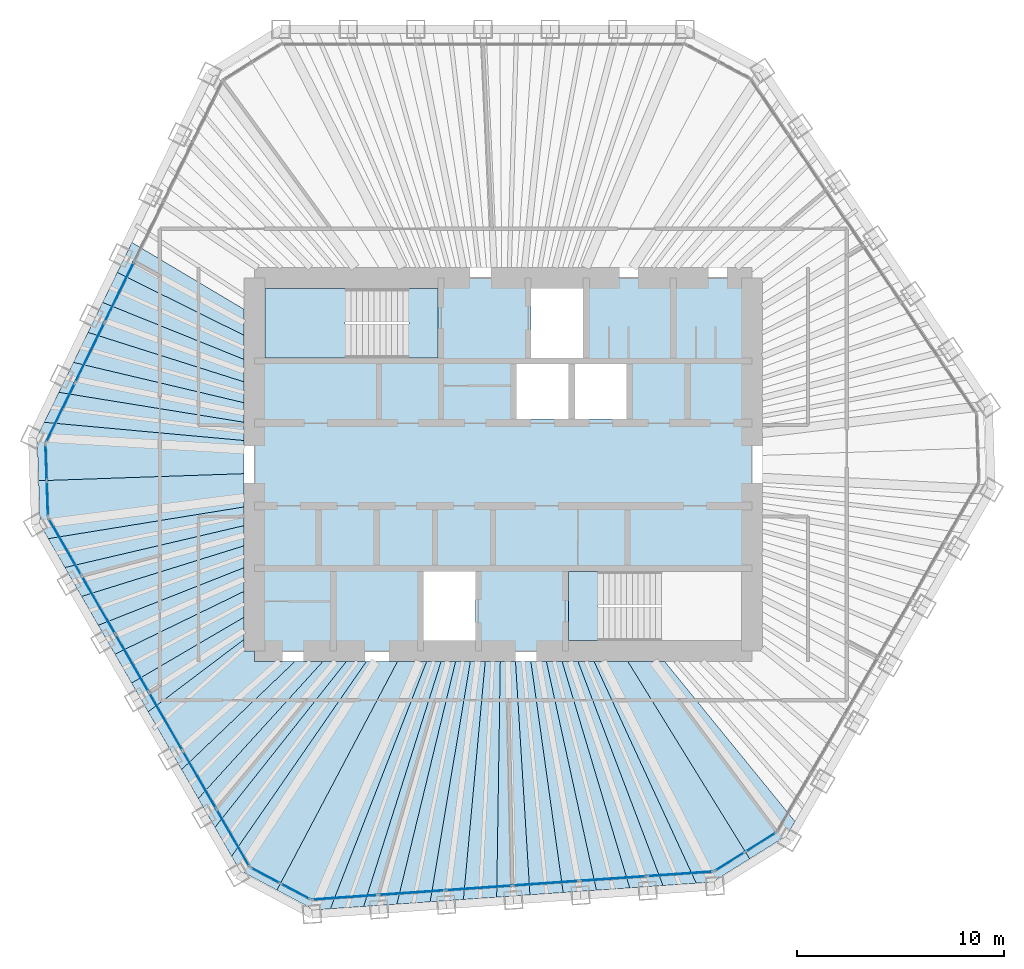
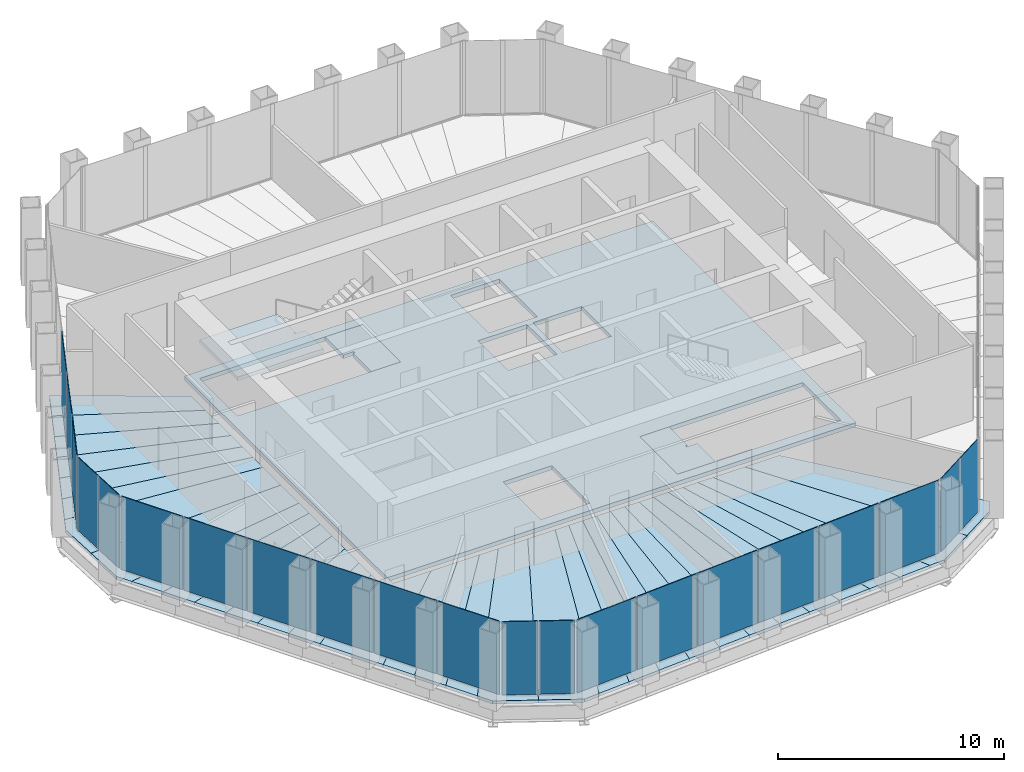
# One storey, part 9 of 14: 37 slabs, 21 plates, 8 elements without a shape of their own.
"""IFC4 building model written with IfcOpenShell, lengths in metres."""

from ifc_helpers import new_model, si_unit, direction, frame, origin, origin_2d, place, context, subcontext, project, spatial, polyline, rectangle, outline, extrude, material, layer, layer_set, type_object, element, aggregate, save


model = new_model("IFC4")

# Units and contexts
model_context = context("Model", 3, precision=1e-05, world=origin(), true_north=direction((0.0, 1.0)))
body_context = subcontext(model_context, "Body", "Model", "MODEL_VIEW")
ifc_project = project(units=[si_unit("LENGTHUNIT", "METRE"), si_unit("AREAUNIT", "SQUARE_METRE"), si_unit("VOLUMEUNIT", "CUBIC_METRE"), si_unit("PLANEANGLEUNIT", "RADIAN"), si_unit("MASSUNIT", "GRAM", prefix="KILO")], contexts=[model_context])

# Site, building, storey
site_placement = place(None, origin())
site = spatial("IfcSite", under=ifc_project, at=site_placement, CompositionType="ELEMENT")
building_placement = place(site_placement, origin())
building = spatial("IfcBuilding", under=site, at=building_placement, Name="Qingtian Harvest Tower", CompositionType="ELEMENT")
storey_placement = place(building_placement, frame((0.0, 0.0, 295.60009765625)))
storey = spatial("IfcBuildingStorey", under=building, at=storey_placement, Name="L65", CompositionType="ELEMENT", Elevation=295.60009765625)

# Slabs
ifc_material_1 = material(Name="Concrete fc' 35 MPa", Category="concrete")
ifc_layer_1 = layer(ifc_material_1, 0.169921875)
ifc_layer_set_1 = layer_set([ifc_layer_1], Name="Composite floor slab FS17 170")
slab_type_1 = type_object("IfcSlabType", Name="Composite floor slab FS17 170", PredefinedType="FLOOR", material=ifc_layer_set_1)
slab_1_placement = place(storey_placement, frame((0.0, 0.0, -0.170166015625)))
element("IfcSlab", 1, at=slab_1_placement, inside=storey, type_object=slab_type_1, Name="Floor slab L65 panel D01", PredefinedType="FLOOR", context=body_context, shape_type="SweptSolid", body=[
    extrude(outline(polyline([(-22.422607421875, -0.783203125), (-12.5, -0.4404296875), (-12.5, -2.044921875), (-21.95751953125, -3.578369140625), (-22.348876953125, -2.90087890625), (-22.422607421875, -0.783203125)])), origin(), (0.0, 0.0, 1.0), 0.170166015625),
])
slab_2_placement = place(storey_placement, frame((0.0, 0.0, -0.170166015625)))
element("IfcSlab", 2, at=slab_2_placement, inside=storey, type_object=slab_type_1, Name="Floor slab L65 panel D02", PredefinedType="FLOOR", context=body_context, shape_type="SweptSolid", body=[
    extrude(outline(polyline([(-12.5, -2.94677734375), (-21.153076171875, -4.9716796875), (-21.95751953125, -3.578369140625), (-12.5, -2.044921875), (-12.5, -2.94677734375)])), origin(), (0.0, 0.0, 1.0), 0.170166015625),
])
slab_3_placement = place(storey_placement, frame((0.0, 0.0, -0.170166015625)))
element("IfcSlab", 3, at=slab_3_placement, inside=storey, type_object=slab_type_1, Name="Floor slab L65 panel D03", PredefinedType="FLOOR", context=body_context, shape_type="SweptSolid", body=[
    extrude(outline(polyline([(-12.5, -3.919921875), (-20.3486328125, -6.365234375), (-21.153076171875, -4.9716796875), (-12.5, -2.94677734375), (-12.5, -3.919921875)])), origin(), (0.0, 0.0, 1.0), 0.170166015625),
])
slab_4_placement = place(storey_placement, frame((0.0, 0.0, -0.170166015625)))
element("IfcSlab", 4, at=slab_4_placement, inside=storey, type_object=slab_type_1, Name="Floor slab L65 panel D04", PredefinedType="FLOOR", context=body_context, shape_type="SweptSolid", body=[
    extrude(outline(polyline([(-12.5, -4.973388671875), (-19.544189453125, -7.758544921875), (-20.3486328125, -6.365234375), (-12.5, -3.919921875), (-12.5, -4.973388671875)])), origin(), (0.0, 0.0, 1.0), 0.170166015625),
])
slab_5_placement = place(storey_placement, frame((0.0, 0.0, -0.170166015625)))
element("IfcSlab", 5, at=slab_5_placement, inside=storey, type_object=slab_type_1, Name="Floor slab L65 panel D05", PredefinedType="FLOOR", context=body_context, shape_type="SweptSolid", body=[
    extrude(outline(polyline([(-12.5, -6.1171875), (-18.73974609375, -9.15185546875), (-19.544189453125, -7.758544921875), (-12.5, -4.973388671875), (-12.5, -6.1171875)])), origin(), (0.0, 0.0, 1.0), 0.170166015625),
])
slab_6_placement = place(storey_placement, frame((0.0, 0.0, -0.170166015625)))
element("IfcSlab", 6, at=slab_6_placement, inside=storey, type_object=slab_type_1, Name="Floor slab L65 panel D06", PredefinedType="FLOOR", context=body_context, shape_type="SweptSolid", body=[
    extrude(outline(polyline([(-12.5, -7.364013671875), (-17.93505859375, -10.54541015625), (-18.73974609375, -9.15185546875), (-12.5, -6.1171875), (-12.5, -7.364013671875)])), origin(), (0.0, 0.0, 1.0), 0.170166015625),
])
slab_7_placement = place(storey_placement, frame((0.0, 0.0, -0.170166015625)))
element("IfcSlab", 7, at=slab_7_placement, inside=storey, type_object=slab_type_1, Name="Floor slab L65 panel D07", PredefinedType="FLOOR", context=body_context, shape_type="SweptSolid", body=[
    extrude(outline(polyline([(-12.5, -8.432373046875), (-17.134521484375, -11.931884765625), (-17.93505859375, -10.54541015625), (-12.5, -7.364013671875), (-12.5, -8.432373046875)])), origin(), (0.0, 0.0, 1.0), 0.170166015625),
])
slab_8_placement = place(storey_placement, frame((0.0, 0.0, -0.170166015625)))
element("IfcSlab", 8, at=slab_8_placement, inside=storey, type_object=slab_type_1, Name="Floor slab L65 panel D09", PredefinedType="FLOOR", context=body_context, shape_type="SweptSolid", body=[
    extrude(outline(polyline([(-15.522216796875, -14.724609375), (-17.134521484375, -11.931884765625), (-12.5, -8.432373046875), (-12.5, -9.0), (-12.0, -9.0), (-12.0, -9.5), (-10.048828125, -9.5), (-15.522216796875, -14.724609375)])), origin(), (0.0, 0.0, 1.0), 0.170166015625),
])
slab_9_placement = place(storey_placement, frame((0.0, 0.0, -0.170166015625)))
element("IfcSlab", 9, at=slab_9_placement, inside=storey, type_object=slab_type_1, Name="Floor slab L65 panel D10", PredefinedType="FLOOR", context=body_context, shape_type="SweptSolid", body=[
    extrude(outline(polyline([(-8.70068359375, -9.5), (-14.7177734375, -16.1181640625), (-15.522216796875, -14.724609375), (-10.048828125, -9.5), (-8.70068359375, -9.5)])), origin(), (0.0, 0.0, 1.0), 0.170166015625),
])
slab_10_placement = place(storey_placement, frame((0.0, 0.0, -0.170166015625)))
element("IfcSlab", 10, at=slab_10_placement, inside=storey, type_object=slab_type_1, Name="Floor slab L65 panel D11", PredefinedType="FLOOR", context=body_context, shape_type="SweptSolid", body=[
    extrude(outline(polyline([(-7.568359375, -9.5), (-13.9130859375, -17.51171875), (-14.7177734375, -16.1181640625), (-8.70068359375, -9.5), (-7.568359375, -9.5)])), origin(), (0.0, 0.0, 1.0), 0.170166015625),
])
slab_11_placement = place(storey_placement, frame((0.0, 0.0, -0.170166015625)))
element("IfcSlab", 11, at=slab_11_placement, inside=storey, type_object=slab_type_1, Name="Floor slab L65 panel D12", PredefinedType="FLOOR", context=body_context, shape_type="SweptSolid", body=[
    extrude(outline(polyline([(-6.603515625, -9.5), (-13.108642578125, -18.905029296875), (-13.9130859375, -17.51171875), (-7.568359375, -9.5), (-6.603515625, -9.5)])), origin(), (0.0, 0.0, 1.0), 0.170166015625),
])
slab_12_placement = place(storey_placement, frame((0.0, 0.0, -0.170166015625)))
element("IfcSlab", 12, at=slab_12_placement, inside=storey, type_object=slab_type_1, Name="Floor slab L65 panel D13", PredefinedType="FLOOR", context=body_context, shape_type="SweptSolid", body=[
    extrude(outline(polyline([(-6.603515625, -9.5), (-5.10009765625, -9.5), (-10.921142578125, -20.537841796875), (-12.717529296875, -19.582763671875), (-13.108642578125, -18.905029296875), (-6.603515625, -9.5)])), origin(), (0.0, 0.0, 1.0), 0.170166015625),
])
slab_13_placement = place(storey_placement, frame((0.0, 0.0, -0.170166015625)))
element("IfcSlab", 13, at=slab_13_placement, inside=storey, type_object=slab_type_1, Name="Floor slab L65 panel D14", PredefinedType="FLOOR", context=body_context, shape_type="SweptSolid", body=[
    extrude(outline(polyline([(-5.10009765625, -9.5), (-3.696044921875, -9.5), (-8.343017578125, -21.439208984375), (-9.123291015625, -21.49365234375), (-10.921142578125, -20.537841796875), (-5.10009765625, -9.5)])), origin(), (0.0, 0.0, 1.0), 0.170166015625),
])
slab_14_placement = place(storey_placement, frame((0.0, 0.0, -0.170166015625)))
element("IfcSlab", 14, at=slab_14_placement, inside=storey, type_object=slab_type_1, Name="Floor slab L65 panel D15", PredefinedType="FLOOR", context=body_context, shape_type="SweptSolid", body=[
    extrude(outline(polyline([(-3.00048828125, -9.5), (-6.738037109375, -21.326904296875), (-8.343017578125, -21.439208984375), (-3.696044921875, -9.5), (-3.00048828125, -9.5)])), origin(), (0.0, 0.0, 1.0), 0.170166015625),
])
slab_15_placement = place(storey_placement, frame((0.0, 0.0, -0.170166015625)))
element("IfcSlab", 15, at=slab_15_placement, inside=storey, type_object=slab_type_1, Name="Floor slab L65 panel D16", PredefinedType="FLOOR", context=body_context, shape_type="SweptSolid", body=[
    extrude(outline(polyline([(-2.297607421875, -9.5), (-5.133056640625, -21.21484375), (-6.738037109375, -21.326904296875), (-3.00048828125, -9.5), (-2.297607421875, -9.5)])), origin(), (0.0, 0.0, 1.0), 0.170166015625),
])
slab_16_placement = place(storey_placement, frame((0.0, 0.0, -0.170166015625)))
element("IfcSlab", 16, at=slab_16_placement, inside=storey, type_object=slab_type_1, Name="Floor slab L65 panel D17", PredefinedType="FLOOR", context=body_context, shape_type="SweptSolid", body=[
    extrude(outline(polyline([(-1.58740234375, -9.5), (-3.528076171875, -21.1025390625), (-5.133056640625, -21.21484375), (-2.297607421875, -9.5), (-1.58740234375, -9.5)])), origin(), (0.0, 0.0, 1.0), 0.170166015625),
])
slab_17_placement = place(storey_placement, frame((0.0, 0.0, -0.170166015625)))
element("IfcSlab", 17, at=slab_17_placement, inside=storey, type_object=slab_type_1, Name="Floor slab L65 panel D18", PredefinedType="FLOOR", context=body_context, shape_type="SweptSolid", body=[
    extrude(outline(polyline([(-0.869384765625, -9.5), (-1.9228515625, -20.990234375), (-3.528076171875, -21.1025390625), (-1.58740234375, -9.5), (-0.869384765625, -9.5)])), origin(), (0.0, 0.0, 1.0), 0.170166015625),
])
slab_18_placement = place(storey_placement, frame((0.0, 0.0, -0.170166015625)))
element("IfcSlab", 18, at=slab_18_placement, inside=storey, type_object=slab_type_1, Name="Floor slab L65 panel D19", PredefinedType="FLOOR", context=body_context, shape_type="SweptSolid", body=[
    extrude(outline(polyline([(-0.143798828125, -9.5), (-0.31787109375, -20.8779296875), (-1.9228515625, -20.990234375), (-0.869384765625, -9.5), (-0.143798828125, -9.5)])), origin(), (0.0, 0.0, 1.0), 0.170166015625),
])
slab_19_placement = place(storey_placement, frame((0.0, 0.0, -0.170166015625)))
element("IfcSlab", 19, at=slab_19_placement, inside=storey, type_object=slab_type_1, Name="Floor slab L65 panel D20", PredefinedType="FLOOR", context=body_context, shape_type="SweptSolid", body=[
    extrude(outline(polyline([(0.58984375, -9.5), (1.287109375, -20.765869140625), (-0.31787109375, -20.8779296875), (-0.143798828125, -9.5), (0.58984375, -9.5)])), origin(), (0.0, 0.0, 1.0), 0.170166015625),
])
slab_20_placement = place(storey_placement, frame((0.0, 0.0, -0.170166015625)))
element("IfcSlab", 20, at=slab_20_placement, inside=storey, type_object=slab_type_1, Name="Floor slab L65 panel D21", PredefinedType="FLOOR", context=body_context, shape_type="SweptSolid", body=[
    extrude(outline(polyline([(1.331298828125, -9.5), (2.89208984375, -20.653564453125), (1.287109375, -20.765869140625), (0.58984375, -9.5), (1.331298828125, -9.5)])), origin(), (0.0, 0.0, 1.0), 0.170166015625),
])
slab_21_placement = place(storey_placement, frame((0.0, 0.0, -0.170166015625)))
element("IfcSlab", 21, at=slab_21_placement, inside=storey, type_object=slab_type_1, Name="Floor slab L65 panel D22", PredefinedType="FLOOR", context=body_context, shape_type="SweptSolid", body=[
    extrude(outline(polyline([(2.080810546875, -9.5), (4.4970703125, -20.541259765625), (2.89208984375, -20.653564453125), (1.331298828125, -9.5), (2.080810546875, -9.5)])), origin(), (0.0, 0.0, 1.0), 0.170166015625),
])
slab_22_placement = place(storey_placement, frame((0.0, 0.0, -0.170166015625)))
element("IfcSlab", 22, at=slab_22_placement, inside=storey, type_object=slab_type_1, Name="Floor slab L65 panel D23", PredefinedType="FLOOR", context=body_context, shape_type="SweptSolid", body=[
    extrude(outline(polyline([(2.838623046875, -9.5), (6.10205078125, -20.42919921875), (4.4970703125, -20.541259765625), (2.080810546875, -9.5), (2.838623046875, -9.5)])), origin(), (0.0, 0.0, 1.0), 0.170166015625),
])
slab_23_placement = place(storey_placement, frame((0.0, 0.0, -0.170166015625)))
element("IfcSlab", 23, at=slab_23_placement, inside=storey, type_object=slab_type_1, Name="Floor slab L65 panel D24", PredefinedType="FLOOR", context=body_context, shape_type="SweptSolid", body=[
    extrude(outline(polyline([(3.604736328125, -9.5), (7.70703125, -20.31689453125), (6.10205078125, -20.42919921875), (2.838623046875, -9.5), (3.604736328125, -9.5)])), origin(), (0.0, 0.0, 1.0), 0.170166015625),
])
slab_24_placement = place(storey_placement, frame((0.0, 0.0, -0.170166015625)))
element("IfcSlab", 24, at=slab_24_placement, inside=storey, type_object=slab_type_1, Name="Floor slab L65 panel D25", PredefinedType="FLOOR", context=body_context, shape_type="SweptSolid", body=[
    extrude(outline(polyline([(4.379638671875, -9.5), (9.312255859375, -20.20458984375), (7.70703125, -20.31689453125), (3.604736328125, -9.5), (4.379638671875, -9.5)])), origin(), (0.0, 0.0, 1.0), 0.170166015625),
])
slab_25_placement = place(storey_placement, frame((0.0, 0.0, -0.170166015625)))
element("IfcSlab", 25, at=slab_25_placement, inside=storey, type_object=slab_type_1, Name="Floor slab L65 panel D26", PredefinedType="FLOOR", context=body_context, shape_type="SweptSolid", body=[
    extrude(outline(polyline([(4.379638671875, -9.5), (6.0087890625, -9.5), (11.890380859375, -19.026611328125), (10.09228515625, -20.150146484375), (9.312255859375, -20.20458984375), (4.379638671875, -9.5)])), origin(), (0.0, 0.0, 1.0), 0.170166015625),
])
slab_26_placement = place(storey_placement, frame((0.0, 0.0, -0.170166015625)))
element("IfcSlab", 26, at=slab_26_placement, inside=storey, type_object=slab_type_1, Name="Floor slab L65 panel D27", PredefinedType="FLOOR", context=body_context, shape_type="SweptSolid", body=[
    extrude(outline(polyline([(6.0087890625, -9.5), (7.78515625, -9.5), (14.077880859375, -17.2265625), (13.6865234375, -17.904296875), (11.890380859375, -19.026611328125), (6.0087890625, -9.5)])), origin(), (0.0, 0.0, 1.0), 0.170166015625),
])
slab_27_placement = place(storey_placement, frame((0.0, 0.0, -0.170166015625)))
element("IfcSlab", 27, at=slab_27_placement, inside=storey, type_object=slab_type_1, Name="Floor slab L65 panel D72", PredefinedType="FLOOR", context=body_context, shape_type="SweptSolid", body=[
    extrude(outline(polyline([(-12.5, 6.23095703125), (-18.627197265625, 9.2685546875), (-17.921875, 10.714599609375), (-12.5, 7.48583984375), (-12.5, 6.23095703125)])), origin(), (0.0, 0.0, 1.0), 0.170166015625),
])
slab_28_placement = place(storey_placement, frame((0.0, 0.0, -0.170166015625)))
element("IfcSlab", 28, at=slab_28_placement, inside=storey, type_object=slab_type_1, Name="Floor slab L65 panel D73", PredefinedType="FLOOR", context=body_context, shape_type="SweptSolid", body=[
    extrude(outline(polyline([(-12.5, 5.06787109375), (-19.33251953125, 7.822509765625), (-18.627197265625, 9.2685546875), (-12.5, 6.23095703125), (-12.5, 5.06787109375)])), origin(), (0.0, 0.0, 1.0), 0.170166015625),
])
slab_29_placement = place(storey_placement, frame((0.0, 0.0, -0.170166015625)))
element("IfcSlab", 29, at=slab_29_placement, inside=storey, type_object=slab_type_1, Name="Floor slab L65 panel D74", PredefinedType="FLOOR", context=body_context, shape_type="SweptSolid", body=[
    extrude(outline(polyline([(-12.5, 3.986572265625), (-20.037841796875, 6.376220703125), (-19.33251953125, 7.822509765625), (-12.5, 5.06787109375), (-12.5, 3.986572265625)])), origin(), (0.0, 0.0, 1.0), 0.170166015625),
])
slab_30_placement = place(storey_placement, frame((0.0, 0.0, -0.170166015625)))
element("IfcSlab", 30, at=slab_30_placement, inside=storey, type_object=slab_type_1, Name="Floor slab L65 panel D75", PredefinedType="FLOOR", context=body_context, shape_type="SweptSolid", body=[
    extrude(outline(polyline([(-12.5, 2.97900390625), (-20.7431640625, 4.93017578125), (-20.037841796875, 6.376220703125), (-12.5, 3.986572265625), (-12.5, 2.97900390625)])), origin(), (0.0, 0.0, 1.0), 0.170166015625),
])
slab_31_placement = place(storey_placement, frame((0.0, 0.0, -0.170166015625)))
element("IfcSlab", 31, at=slab_31_placement, inside=storey, type_object=slab_type_1, Name="Floor slab L65 panel D76", PredefinedType="FLOOR", context=body_context, shape_type="SweptSolid", body=[
    extrude(outline(polyline([(-12.5, 2.037841796875), (-21.448486328125, 3.484130859375), (-20.7431640625, 4.93017578125), (-12.5, 2.97900390625), (-12.5, 2.037841796875)])), origin(), (0.0, 0.0, 1.0), 0.170166015625),
])
slab_32_placement = place(storey_placement, frame((0.0, 0.0, -0.170166015625)))
element("IfcSlab", 32, at=slab_32_placement, inside=storey, type_object=slab_type_1, Name="Floor slab L65 panel D77", PredefinedType="FLOOR", context=body_context, shape_type="SweptSolid", body=[
    extrude(outline(polyline([(-12.5, 1.156494140625), (-22.15380859375, 2.037841796875), (-21.448486328125, 3.484130859375), (-12.5, 2.037841796875), (-12.5, 1.156494140625)])), origin(), (0.0, 0.0, 1.0), 0.170166015625),
])
slab_33_placement = place(storey_placement, frame((0.0, 0.0, -0.170166015625)))
element("IfcSlab", 33, at=slab_33_placement, inside=storey, type_object=slab_type_1, Name="Floor slab L65 panel D78", PredefinedType="FLOOR", context=body_context, shape_type="SweptSolid", body=[
    extrude(outline(polyline([(-12.5, 1.156494140625), (-12.5, -0.4404296875), (-22.422607421875, -0.783203125), (-22.49658203125, 1.334716796875), (-22.15380859375, 2.037841796875), (-12.5, 1.156494140625)])), origin(), (0.0, 0.0, 1.0), 0.170166015625),
])
ifc_material_2 = material(Name="Concrete fc' 35 MPa", Category="concrete")
ifc_layer_2 = layer(ifc_material_2, 0.219970703125)
ifc_layer_set_2 = layer_set([ifc_layer_2], Name="Core floor slab CS22 220")
slab_type_2 = type_object("IfcSlabType", Name="Core floor slab CS22 220", PredefinedType="FLOOR", material=ifc_layer_set_2)
slab_34_placement = place(storey_placement, frame((0.0, 0.0, -0.22021484375)))
element("IfcSlab", 34, at=slab_34_placement, inside=storey, type_object=slab_type_2, Name="Core floor slab L65", PredefinedType="FLOOR", context=body_context, shape_type="SweptSolid", body=[
    extrude(outline(polyline([(-12.0, -9.0), (12.0, -9.0), (12.0, 9.0), (-12.0, 9.0), (-12.0, -9.0)]), holes=[polyline([(-11.5, 5.14990234375), (-3.14990234375, 5.14990234375), (-3.14990234375, 8.5), (-11.5, 8.5), (-11.5, 5.14990234375)]), polyline([(3.14990234375, -8.5), (11.5, -8.5), (11.5, -5.14990234375), (3.14990234375, -5.14990234375), (3.14990234375, -8.5)]), polyline([(1.35009765625, 5.14990234375), (3.85009765625, 5.14990234375), (3.85009765625, 8.5), (1.35009765625, 8.5), (1.35009765625, 5.14990234375)]), polyline([(-3.85009765625, -8.5), (-1.35009765625, -8.5), (-1.35009765625, -5.14990234375), (-3.85009765625, -5.14990234375), (-3.85009765625, -8.5)]), polyline([(0.64990234375, 2.199951171875), (3.14990234375, 2.199951171875), (3.14990234375, 4.85009765625), (0.64990234375, 4.85009765625), (0.64990234375, 2.199951171875)]), polyline([(3.449951171875, 2.199951171875), (5.949951171875, 2.199951171875), (5.949951171875, 4.85009765625), (3.449951171875, 4.85009765625), (3.449951171875, 2.199951171875)])]), origin(), (0.0, 0.0, 1.0), 0.22021484375),
])

# Curtain wall, plates
ifc_material_3 = material(Name="Bronze-anodised aluminium curtain wall", Category="aluminium")
curtain_wall_type = type_object("IfcCurtainWallType", Name="Curtain wall CW5 upper office", PredefinedType="USERDEFINED", material=ifc_material_3)
curtain_wall_1_placement = place(storey_placement, origin())
curtain_wall_1 = element("IfcCurtainWall", 35, at=curtain_wall_1_placement, inside=storey, type_object=curtain_wall_type, Name="Curtain wall CW5 L65 SEC", ObjectType="RECESSED CURTAIN WALL", PredefinedType="USERDEFINED")
ifc_material_4 = material(Name="Bronze-tinted laminated insulating glass", Category="glass")
ifc_layer_3 = layer(ifc_material_4, 0.030029296875)
ifc_layer_set_3 = layer_set([ifc_layer_3], Name="Glazed panel CWP tinted IGU")
plate_type = type_object("IfcPlateType", Name="Glazed panel CWP tinted IGU", PredefinedType="CURTAIN_PANEL", material=ifc_layer_set_3)
plate_1_placement = place(storey_placement, frame((12.42431640625, -18.224609375, 0.06494140625), z_axis=(0.0, 0.0, 1.0), x_axis=(-0.848048096156, -0.529919264233, 0.0)))
plate_1 = element("IfcPlate", 36, at=plate_1_placement, type_object=plate_type, Name="CW5 panel 1.1", PredefinedType="CURTAIN_PANEL", context=body_context, shape_type="SweptSolid", body=[
    extrude(rectangle(XDim=1.69287109375, YDim=0.030029296875, at=origin_2d()), origin(), (0.0, 0.0, 1.0), 3.965087890625),
])
plate_2_placement = place(storey_placement, frame((10.93359375, -19.156005859375, 0.06494140625), z_axis=(0.0, 0.0, 1.0), x_axis=(-0.848048096156, -0.529919264233, 0.0)))
plate_2 = element("IfcPlate", 37, at=plate_2_placement, type_object=plate_type, Name="CW5 panel 2.1", PredefinedType="CURTAIN_PANEL", context=body_context, shape_type="SweptSolid", body=[
    extrude(rectangle(XDim=1.69287109375, YDim=0.030029296875, at=origin_2d()), origin(), (0.0, 0.0, 1.0), 3.965087890625),
])
aggregate(curtain_wall_1, [plate_1, plate_2])

curtain_wall_2_placement = place(storey_placement, origin())
curtain_wall_2 = element("IfcCurtainWall", 38, at=curtain_wall_2_placement, inside=storey, type_object=curtain_wall_type, Name="Curtain wall CW5 L65 S0-5", ObjectType="RECESSED CURTAIN WALL", PredefinedType="USERDEFINED")
plate_3_placement = place(storey_placement, frame((8.5244140625, -19.75341796875, 0.06494140625), z_axis=(0.0, 0.0, 1.0), x_axis=(-0.99756405026, -0.069756473744, 0.0)))
plate_3 = element("IfcPlate", 39, at=plate_3_placement, type_object=plate_type, Name="CW5 panel 1.1", PredefinedType="CURTAIN_PANEL", context=body_context, shape_type="SweptSolid", body=[
    extrude(rectangle(XDim=3.150634765625, YDim=0.030029296875, at=origin_2d()), origin(), (0.0, 0.0, 1.0), 3.965087890625),
])
plate_4_placement = place(storey_placement, frame((5.300537109375, -19.97900390625, 0.06494140625), z_axis=(0.0, 0.0, 1.0), x_axis=(-0.99756405026, -0.069756473744, 0.0)))
plate_4 = element("IfcPlate", 40, at=plate_4_placement, type_object=plate_type, Name="CW5 panel 2.1", PredefinedType="CURTAIN_PANEL", context=body_context, shape_type="SweptSolid", body=[
    extrude(rectangle(XDim=3.18310546875, YDim=0.030029296875, at=origin_2d()), origin(), (0.0, 0.0, 1.0), 3.965087890625),
])
plate_5_placement = place(storey_placement, frame((2.060302734375, -20.20556640625, 0.06494140625), z_axis=(0.0, 0.0, 1.0), x_axis=(-0.99756405026, -0.069756473744, 0.0)))
plate_5 = element("IfcPlate", 41, at=plate_5_placement, type_object=plate_type, Name="CW5 panel 3.1", PredefinedType="CURTAIN_PANEL", context=body_context, shape_type="SweptSolid", body=[
    extrude(rectangle(XDim=3.18310546875, YDim=0.030029296875, at=origin_2d()), origin(), (0.0, 0.0, 1.0), 3.965087890625),
])
plate_6_placement = place(storey_placement, frame((-1.1796875, -20.43212890625, 0.06494140625), z_axis=(0.0, 0.0, 1.0), x_axis=(-0.99756405026, -0.069756473744, 0.0)))
plate_6 = element("IfcPlate", 42, at=plate_6_placement, type_object=plate_type, Name="CW5 panel 4.1", PredefinedType="CURTAIN_PANEL", context=body_context, shape_type="SweptSolid", body=[
    extrude(rectangle(XDim=3.18310546875, YDim=0.030029296875, at=origin_2d()), origin(), (0.0, 0.0, 1.0), 3.965087890625),
])
plate_7_placement = place(storey_placement, frame((-4.419921875, -20.65869140625, 0.06494140625), z_axis=(0.0, 0.0, 1.0), x_axis=(-0.99756405026, -0.069756473744, 0.0)))
plate_7 = element("IfcPlate", 43, at=plate_7_placement, type_object=plate_type, Name="CW5 panel 5.1", PredefinedType="CURTAIN_PANEL", context=body_context, shape_type="SweptSolid", body=[
    extrude(rectangle(XDim=3.18310546875, YDim=0.030029296875, at=origin_2d()), origin(), (0.0, 0.0, 1.0), 3.965087890625),
])
plate_8_placement = place(storey_placement, frame((-7.643798828125, -20.884033203125, 0.06494140625), z_axis=(0.0, 0.0, 1.0), x_axis=(-0.99756405026, -0.069756473744, 0.0)))
plate_8 = element("IfcPlate", 44, at=plate_8_placement, type_object=plate_type, Name="CW5 panel 6.1", PredefinedType="CURTAIN_PANEL", context=body_context, shape_type="SweptSolid", body=[
    extrude(rectangle(XDim=3.150634765625, YDim=0.030029296875, at=origin_2d()), origin(), (0.0, 0.0, 1.0), 3.965087890625),
])
aggregate(curtain_wall_2, [plate_3, plate_4, plate_5, plate_6, plate_7, plate_8])

curtain_wall_3_placement = place(storey_placement, origin())
curtain_wall_3 = element("IfcCurtainWall", 45, at=curtain_wall_3_placement, inside=storey, type_object=curtain_wall_type, Name="Curtain wall CW5 L65 SC", ObjectType="RECESSED CURTAIN WALL", PredefinedType="USERDEFINED")
plate_9_placement = place(storey_placement, frame((-10.029296875, -20.60009765625, 0.06494140625), z_axis=(0.0, 0.0, 1.0), x_axis=(-0.882947592859, 0.469471562786, 0.0)))
plate_9 = element("IfcPlate", 46, at=plate_9_placement, type_object=plate_type, Name="CW5 panel 1.1", PredefinedType="CURTAIN_PANEL", context=body_context, shape_type="SweptSolid", body=[
    extrude(rectangle(XDim=1.56689453125, YDim=0.030029296875, at=origin_2d()), origin(), (0.0, 0.0, 1.0), 3.965087890625),
])
plate_10_placement = place(storey_placement, frame((-11.469970703125, -19.833984375, 0.06494140625), z_axis=(0.0, 0.0, 1.0), x_axis=(-0.882947592859, 0.469471562786, 0.0)))
plate_10 = element("IfcPlate", 47, at=plate_10_placement, type_object=plate_type, Name="CW5 panel 2.1", PredefinedType="CURTAIN_PANEL", context=body_context, shape_type="SweptSolid", body=[
    extrude(rectangle(XDim=1.56689453125, YDim=0.030029296875, at=origin_2d()), origin(), (0.0, 0.0, 1.0), 3.965087890625),
])
aggregate(curtain_wall_3, [plate_9, plate_10])

curtain_wall_4_placement = place(storey_placement, origin())
curtain_wall_4 = element("IfcCurtainWall", 48, at=curtain_wall_4_placement, inside=storey, type_object=curtain_wall_type, Name="Curtain wall CW5 L65 SW0-5", ObjectType="RECESSED CURTAIN WALL", PredefinedType="USERDEFINED")
plate_11_placement = place(storey_placement, frame((-13.039306640625, -18.01513671875, 0.06494140625), z_axis=(0.0, 0.0, 1.0), x_axis=(-0.5, 0.866025403784, 0.0)))
plate_11 = element("IfcPlate", 49, at=plate_11_placement, type_object=plate_type, Name="CW5 panel 1.1", PredefinedType="CURTAIN_PANEL", context=body_context, shape_type="SweptSolid", body=[
    extrude(rectangle(XDim=3.150634765625, YDim=0.030029296875, at=origin_2d()), origin(), (0.0, 0.0, 1.0), 3.965087890625),
])
plate_12_placement = place(storey_placement, frame((-14.6552734375, -15.216552734375, 0.06494140625), z_axis=(0.0, 0.0, 1.0), x_axis=(-0.5, 0.866025403784, 0.0)))
plate_12 = element("IfcPlate", 50, at=plate_12_placement, type_object=plate_type, Name="CW5 panel 2.1", PredefinedType="CURTAIN_PANEL", context=body_context, shape_type="SweptSolid", body=[
    extrude(rectangle(XDim=3.18310546875, YDim=0.030029296875, at=origin_2d()), origin(), (0.0, 0.0, 1.0), 3.965087890625),
])
plate_13_placement = place(storey_placement, frame((-16.279296875, -12.403564453125, 0.06494140625), z_axis=(0.0, 0.0, 1.0), x_axis=(-0.5, 0.866025403784, 0.0)))
plate_13 = element("IfcPlate", 51, at=plate_13_placement, type_object=plate_type, Name="CW5 panel 3.1", PredefinedType="CURTAIN_PANEL", context=body_context, shape_type="SweptSolid", body=[
    extrude(rectangle(XDim=3.18310546875, YDim=0.030029296875, at=origin_2d()), origin(), (0.0, 0.0, 1.0), 3.965087890625),
])
plate_14_placement = place(storey_placement, frame((-17.9033203125, -9.590576171875, 0.06494140625), z_axis=(0.0, 0.0, 1.0), x_axis=(-0.5, 0.866025403784, 0.0)))
plate_14 = element("IfcPlate", 52, at=plate_14_placement, type_object=plate_type, Name="CW5 panel 4.1", PredefinedType="CURTAIN_PANEL", context=body_context, shape_type="SweptSolid", body=[
    extrude(rectangle(XDim=3.18310546875, YDim=0.030029296875, at=origin_2d()), origin(), (0.0, 0.0, 1.0), 3.965087890625),
])
plate_15_placement = place(storey_placement, frame((-19.52734375, -6.77783203125, 0.06494140625), z_axis=(0.0, 0.0, 1.0), x_axis=(-0.5, 0.866025403784, 0.0)))
plate_15 = element("IfcPlate", 53, at=plate_15_placement, type_object=plate_type, Name="CW5 panel 5.1", PredefinedType="CURTAIN_PANEL", context=body_context, shape_type="SweptSolid", body=[
    extrude(rectangle(XDim=3.18310546875, YDim=0.030029296875, at=origin_2d()), origin(), (0.0, 0.0, 1.0), 3.965087890625),
])
plate_16_placement = place(storey_placement, frame((-21.14306640625, -3.97900390625, 0.06494140625), z_axis=(0.0, 0.0, 1.0), x_axis=(-0.5, 0.866025403784, 0.0)))
plate_16 = element("IfcPlate", 54, at=plate_16_placement, type_object=plate_type, Name="CW5 panel 6.1", PredefinedType="CURTAIN_PANEL", context=body_context, shape_type="SweptSolid", body=[
    extrude(rectangle(XDim=3.150634765625, YDim=0.030029296875, at=origin_2d()), origin(), (0.0, 0.0, 1.0), 3.965087890625),
])
aggregate(curtain_wall_4, [plate_11, plate_12, plate_13, plate_14, plate_15, plate_16])

curtain_wall_5_placement = place(storey_placement, origin())
curtain_wall_5 = element("IfcCurtainWall", 55, at=curtain_wall_5_placement, inside=storey, type_object=curtain_wall_type, Name="Curtain wall CW5 L65 SWC", ObjectType="RECESSED CURTAIN WALL", PredefinedType="USERDEFINED")
plate_17_placement = place(storey_placement, frame((-21.9951171875, -1.647705078125, 0.06494140625), z_axis=(0.0, 0.0, 1.0), x_axis=(-0.034899496703, 0.999390827019, 0.0)))
plate_17 = element("IfcPlate", 56, at=plate_17_placement, type_object=plate_type, Name="CW5 panel 1.1", PredefinedType="CURTAIN_PANEL", context=body_context, shape_type="SweptSolid", body=[
    extrude(rectangle(XDim=1.69287109375, YDim=0.030029296875, at=origin_2d()), origin(), (0.0, 0.0, 1.0), 3.965087890625),
])
plate_18_placement = place(storey_placement, frame((-22.056396484375, 0.109375, 0.06494140625), z_axis=(0.0, 0.0, 1.0), x_axis=(-0.034899496703, 0.999390827019, 0.0)))
plate_18 = element("IfcPlate", 57, at=plate_18_placement, type_object=plate_type, Name="CW5 panel 2.1", PredefinedType="CURTAIN_PANEL", context=body_context, shape_type="SweptSolid", body=[
    extrude(rectangle(XDim=1.69287109375, YDim=0.030029296875, at=origin_2d()), origin(), (0.0, 0.0, 1.0), 3.965087890625),
])
aggregate(curtain_wall_5, [plate_17, plate_18])

curtain_wall_6_placement = place(storey_placement, origin())
curtain_wall_6 = element("IfcCurtainWall", 58, at=curtain_wall_6_placement, inside=storey, type_object=curtain_wall_type, Name="Curtain wall CW5 L65 NW0-5", ObjectType="RECESSED CURTAIN WALL", PredefinedType="USERDEFINED")
plate_19_placement = place(storey_placement, frame((-21.369140625, 2.494384765625, 0.06494140625), z_axis=(0.0, 0.0, 1.0), x_axis=(0.438371146789, 0.898794046299, 0.0)))
plate_19 = element("IfcPlate", 59, at=plate_19_placement, type_object=plate_type, Name="CW5 panel 1.1", PredefinedType="CURTAIN_PANEL", context=body_context, shape_type="SweptSolid", body=[
    extrude(rectangle(XDim=3.150634765625, YDim=0.030029296875, at=origin_2d()), origin(), (0.0, 0.0, 1.0), 3.965087890625),
])
plate_20_placement = place(storey_placement, frame((-19.952392578125, 5.399169921875, 0.06494140625), z_axis=(0.0, 0.0, 1.0), x_axis=(0.438371146789, 0.898794046299, 0.0)))
plate_20 = element("IfcPlate", 60, at=plate_20_placement, type_object=plate_type, Name="CW5 panel 2.1", PredefinedType="CURTAIN_PANEL", context=body_context, shape_type="SweptSolid", body=[
    extrude(rectangle(XDim=3.18310546875, YDim=0.030029296875, at=origin_2d()), origin(), (0.0, 0.0, 1.0), 3.965087890625),
])
plate_21_placement = place(storey_placement, frame((-18.528564453125, 8.318359375, 0.06494140625), z_axis=(0.0, 0.0, 1.0), x_axis=(0.438371146789, 0.898794046299, 0.0)))
plate_21 = element("IfcPlate", 61, at=plate_21_placement, type_object=plate_type, Name="CW5 panel 3.1", PredefinedType="CURTAIN_PANEL", context=body_context, shape_type="SweptSolid", body=[
    extrude(rectangle(XDim=3.18310546875, YDim=0.030029296875, at=origin_2d()), origin(), (0.0, 0.0, 1.0), 3.965087890625),
])
aggregate(curtain_wall_6, [plate_19, plate_20, plate_21])

# Stair, slabs
ifc_material_5 = material(Name="Concrete fc' 35 MPa", Category="concrete")
stair_type = type_object("IfcStairType", Name="Special stair ST6 4200", PredefinedType="HALF_TURN_STAIR", material=ifc_material_5)
stair_1_placement = place(storey_placement, origin())
stair_1 = element("IfcStair", 62, at=stair_1_placement, inside=storey, type_object=stair_type, Name="Special stair S1 L65", PredefinedType="HALF_TURN_STAIR")
ifc_material_6 = material(Name="Concrete fc' 35 MPa", Category="concrete")
ifc_layer_4 = layer(ifc_material_6, 0.199951171875)
ifc_layer_set_4 = layer_set([ifc_layer_4], Name="Stair landing SL2 200")
slab_type_3 = type_object("IfcSlabType", Name="Stair landing SL2 200", PredefinedType="LANDING", material=ifc_layer_set_4)
slab_35_placement = place(storey_placement, frame((0.0, 0.0, -0.2001953125)))
slab_35 = element("IfcSlab", 63, at=slab_35_placement, type_object=slab_type_3, Name="S1 landing 1", PredefinedType="LANDING", context=body_context, shape_type="SweptSolid", body=[
    extrude(outline(polyline([(-4.64990234375, 5.14990234375), (-4.64990234375, 6.77490234375), (-4.550048828125, 6.77490234375), (-4.550048828125, 6.875), (-5.0849609375, 6.875), (-5.0849609375, 8.5), (-3.14990234375, 8.5), (-3.14990234375, 5.14990234375), (-4.64990234375, 5.14990234375)])), origin(), (0.0, 0.0, 1.0), 0.2001953125),
])
slab_36_placement = place(storey_placement, frame((0.0, 0.0, 1.89990234375)))
slab_36 = element("IfcSlab", 64, at=slab_36_placement, type_object=slab_type_3, Name="S1 landing 2", PredefinedType="LANDING", context=body_context, shape_type="SweptSolid", body=[
    extrude(outline(polyline([(-7.094970703125, 5.14990234375), (-11.5, 5.14990234375), (-11.5, 8.5), (-7.530029296875, 8.5), (-7.530029296875, 6.875), (-7.6298828125, 6.875), (-7.6298828125, 6.77490234375), (-7.094970703125, 6.77490234375), (-7.094970703125, 5.14990234375)])), origin(), (0.0, 0.0, 1.0), 0.199951171875),
])
aggregate(stair_1, [slab_35, slab_36])

# Stair, slab
stair_2_placement = place(storey_placement, origin())
stair_2 = element("IfcStair", 65, at=stair_2_placement, inside=storey, type_object=stair_type, Name="Special stair S2 L65", PredefinedType="HALF_TURN_STAIR")
slab_37_placement = place(storey_placement, frame((0.0, 0.0, -0.2001953125)))
slab_37 = element("IfcSlab", 66, at=slab_37_placement, type_object=slab_type_3, Name="S2 landing 1", PredefinedType="LANDING", context=body_context, shape_type="SweptSolid", body=[
    extrude(outline(polyline([(5.0849609375, -8.5), (3.14990234375, -8.5), (3.14990234375, -5.14990234375), (4.64990234375, -5.14990234375), (4.64990234375, -6.77490234375), (4.550048828125, -6.77490234375), (4.550048828125, -6.875), (5.0849609375, -6.875), (5.0849609375, -8.5)])), origin(), (0.0, 0.0, 1.0), 0.2001953125),
])
aggregate(stair_2, [slab_37])

save(model, "model.ifc")
